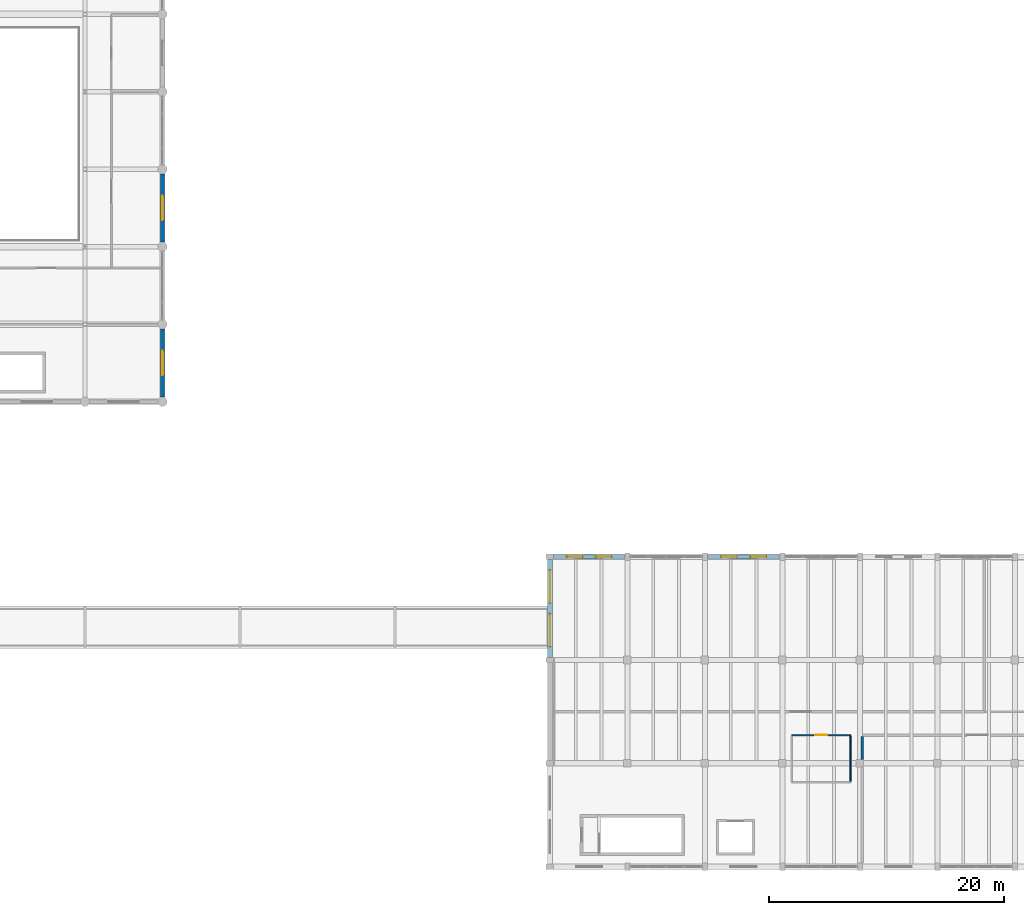
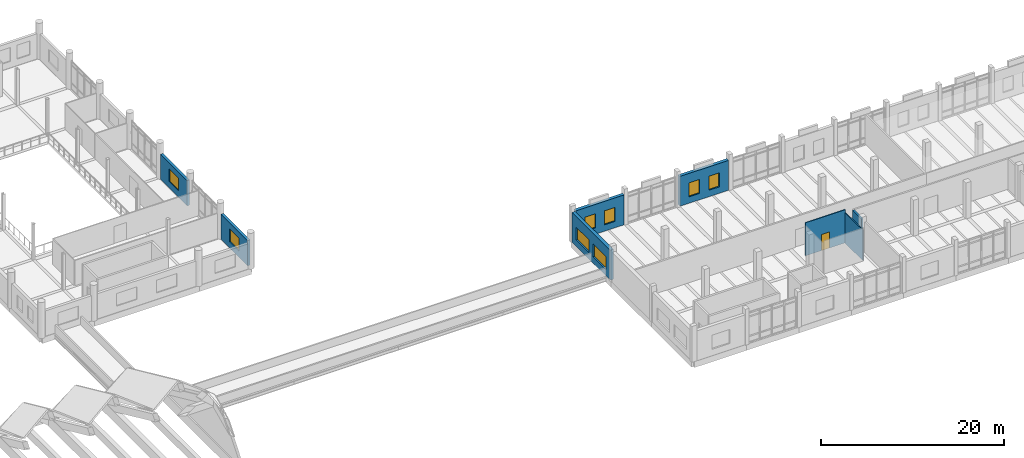
# One storey, part 49 of 76: 8 walls, 8 windows, 1 door, 9 openings.
"""IFC4 building model written with IfcOpenShell, lengths in metres."""

from ifc_helpers import new_model, si_unit, direction, frame, frame_2d, origin, place, context, subcontext, project, spatial, rectangle, extrude, material, layer, layer_set, type_object, element, fill, save


model = new_model("IFC4")

# Units and contexts
model_context = context("Model", 3, precision=1e-05, world=origin(), true_north=direction((0.0, 1.0)))
body_context = subcontext(model_context, "Body", "Model", "MODEL_VIEW")
ifc_project = project(units=[si_unit("LENGTHUNIT", "METRE"), si_unit("AREAUNIT", "SQUARE_METRE"), si_unit("VOLUMEUNIT", "CUBIC_METRE"), si_unit("PLANEANGLEUNIT", "RADIAN"), si_unit("MASSUNIT", "GRAM", prefix="KILO")], contexts=[model_context])

# Site, building, storey
site_placement = place(None, origin())
site = spatial("IfcSite", under=ifc_project, at=site_placement, CompositionType="ELEMENT")
building_placement = place(site_placement, origin())
building = spatial("IfcBuilding", under=site, at=building_placement, Name="Dornvale Research Institute", CompositionType="ELEMENT")
storey_placement = place(building_placement, frame((0.0, 0.0, 15.0)))
storey = spatial("IfcBuildingStorey", under=building, at=storey_placement, Name="L03", CompositionType="ELEMENT", Elevation=15.0)

# Wall
ifc_material_1 = material(Name="Fire-Rated Gypsum Board on Cold-Formed Steel Studs", Category="steel")
ifc_layer_1 = layer(ifc_material_1, 0.199951171875)
ifc_layer_set_1 = layer_set([ifc_layer_1], Name="Fire-Rated Gypsum Board on Cold-Formed Steel Studs")
wall_type_1 = type_object("IfcWallType", Name="Partition_FireWall_200", PredefinedType="PARTITIONING", material=ifc_layer_set_1)
wall_1_placement = place(storey_placement, frame((125.60009765625, 9.14501953125, 0.0), z_axis=(0.0, 0.0, 1.0), x_axis=(0.0, 1.0, 0.0)))
element("IfcWall", 1, at=wall_1_placement, inside=storey, type_object=wall_type_1, Name="L03 V3 interior partition #387", PredefinedType="PARTITIONING", context=body_context, shape_type="SweptSolid", body=[
    extrude(rectangle(XDim=1.93994140625, YDim=0.199951171875, at=frame_2d((0.969970703125, 0.0))), origin(), (0.0, 0.0, 1.0), 4.06494140625),
])

# Wall, opening, door
ifc_material_2 = material(Name="Acoustic Insulated Double-Stud Laboratory Partition")
ifc_layer_2 = layer(ifc_material_2, 0.10009765625)
ifc_layer_set_2 = layer_set([ifc_layer_2], Name="Acoustic Insulated Double-Stud Laboratory Partition")
wall_type_2 = type_object("IfcWallType", Name="Partition_Office_100", PredefinedType="PARTITIONING", material=ifc_layer_set_2)
wall_2_placement = place(storey_placement, frame((119.60009765625, 11.199951171875, 0.0), z_axis=(0.0, 0.0, 1.0), x_axis=(1.0, 0.0, 0.0)))
wall_2 = element("IfcWall", 2, at=wall_2_placement, inside=storey, type_object=wall_type_2, Name="L03 V3 interior partition #377", PredefinedType="PARTITIONING", context=body_context, shape_type="SweptSolid", body=[
    extrude(rectangle(XDim=5.0, YDim=0.10009765625, at=frame_2d((2.5, 0.0))), origin(), (0.0, 0.0, 1.0), 4.419921875),
])
opening_1_placement = place(wall_2_placement, frame((2.0, 0.0, 0.0)))
opening_1 = element("IfcOpeningElement", 3, at=opening_1_placement, cuts=wall_2, Name="Opening ID-24", PredefinedType="OPENING", context=body_context, shape_type="SweptSolid", body=[
    extrude(rectangle(XDim=1.0, YDim=2.14990234375, at=frame_2d((0.5, 1.074951171875))), frame((0.0, 0.06494140625, 0.0), z_axis=(0.0, -1.0, 0.0), x_axis=(1.0, 0.0, 0.0)), (0.0, 0.0, 1.0), 0.130126953125),
])
ifc_material_3 = material(Name="Phenolic-Faced Solid-Core Laboratory Door Assembly")
door_type = type_object("IfcDoorType", Name="Door_AccWC_1000x2150", OperationType="SINGLE_SWING_LEFT", PredefinedType="DOOR", material=ifc_material_3)
door_placement = place(opening_1_placement, origin())
door = element("IfcDoor", 4, at=door_placement, inside=storey, type_object=door_type, Name="L03 Cleanroom Staff and Accessible Restrooms L03 door #152", OperationType="SINGLE_SWING_LEFT", OverallHeight=2.14990234375, OverallWidth=1.0, PredefinedType="DOOR", context=body_context, shape_type="SweptSolid", body=[
    extrude(rectangle(XDim=1.0, YDim=2.14990234375, at=frame_2d((0.5, 1.074951171875))), frame((0.0, 0.02490234375, 0.0), z_axis=(0.0, -1.0, 0.0), x_axis=(1.0, 0.0, 0.0)), (0.0, 0.0, 1.0), 0.050048828125),
])
fill(opening_1, door)

# Wall
wall_3_placement = place(storey_placement, frame((124.60009765625, 7.264892578125, 0.0), z_axis=(0.0, 0.0, 1.0), x_axis=(0.0, 1.0, 0.0)))
element("IfcWall", 5, at=wall_3_placement, inside=storey, type_object=wall_type_2, Name="L03 V3 interior partition #379", PredefinedType="PARTITIONING", context=body_context, shape_type="SweptSolid", body=[
    extrude(rectangle(XDim=3.8701171875, YDim=0.10009765625, at=frame_2d((1.93505859375, 0.0))), origin(), (0.0, 0.0, 1.0), 4.06494140625),
])

# Wall, opening, window
ifc_material_4 = material(Name="Catalan Pressed Brick and Insulated Cavity Assembly", Category="masonry")
ifc_layer_3 = layer(ifc_material_4, 0.320068359375)
ifc_layer_set_3 = layer_set([ifc_layer_3], Name="Catalan Pressed Brick and Insulated Cavity Assembly")
wall_type_3 = type_object("IfcWallType", Name="StandardWall_BrickCavity_320", PredefinedType="STANDARD", material=ifc_layer_set_3)
wall_4_placement = place(storey_placement, frame((66.0, 59.0048828125, 0.0), z_axis=(0.0, 0.0, 1.0), x_axis=(0.0, -1.0, 0.0)))
wall_4 = element("IfcWall", 6, at=wall_4_placement, inside=storey, type_object=wall_type_3, Name="L03 V2 east exterior wall #105", PredefinedType="STANDARD", context=body_context, shape_type="SweptSolid", body=[
    extrude(rectangle(XDim=5.809814453125, YDim=0.320068359375, at=frame_2d((2.90478515625, 0.0))), origin(), (0.0, 0.0, 1.0), 3.360107421875),
])
opening_2_placement = place(wall_4_placement, frame((1.85498046875, 0.0, 0.85009765625)))
opening_2 = element("IfcOpeningElement", 7, at=opening_2_placement, cuts=wall_4, Name="Opening W-19", PredefinedType="OPENING", context=body_context, shape_type="SweptSolid", body=[
    extrude(rectangle(XDim=2.10009765625, YDim=1.699951171875, at=frame_2d((1.050048828125, 0.85009765625))), frame((0.0, 0.175048828125, 0.0), z_axis=(0.0, -1.0, 0.0), x_axis=(1.0, 0.0, 0.0)), (0.0, 0.0, 1.0), 0.35009765625),
])
ifc_material_5 = material(Name="Low-E Argon Double Insulating Glazing Unit", Category="glass")
window_type_1 = type_object("IfcWindowType", Name="Window_Alu_2100x1700_19", PartitioningType="DOUBLE_PANEL_VERTICAL", PredefinedType="WINDOW", material=ifc_material_5)
window_1_placement = place(opening_2_placement, origin())
window_1 = element("IfcWindow", 8, at=window_1_placement, inside=storey, type_object=window_type_1, Name="L03 V2 facade window W-19 #134", OverallHeight=1.699951171875, OverallWidth=2.10009765625, PartitioningType="DOUBLE_PANEL_VERTICAL", PredefinedType="WINDOW", context=body_context, shape_type="SweptSolid", body=[
    extrude(rectangle(XDim=2.10009765625, YDim=1.699951171875, at=frame_2d((1.050048828125, 0.85009765625))), frame((0.0, 0.030029296875, 0.0), z_axis=(0.0, -1.0, 0.0), x_axis=(1.0, 0.0, 0.0)), (0.0, 0.0, 1.0), 0.06005859375),
])
fill(opening_2, window_1)

wall_5_placement = place(storey_placement, frame((66.0, 45.804931640625, 0.0), z_axis=(0.0, 0.0, 1.0), x_axis=(0.0, -1.0, 0.0)))
wall_5 = element("IfcWall", 9, at=wall_5_placement, inside=storey, type_object=wall_type_3, Name="L03 V2 east exterior wall #106", PredefinedType="STANDARD", context=body_context, shape_type="SweptSolid", body=[
    extrude(rectangle(XDim=5.809814453125, YDim=0.320068359375, at=frame_2d((2.90478515625, 0.0))), origin(), (0.0, 0.0, 1.0), 3.360107421875),
])
opening_3_placement = place(wall_5_placement, frame((1.85498046875, 0.0, 0.85009765625)))
opening_3 = element("IfcOpeningElement", 10, at=opening_3_placement, cuts=wall_5, Name="Opening W-19", PredefinedType="OPENING", context=body_context, shape_type="SweptSolid", body=[
    extrude(rectangle(XDim=2.10009765625, YDim=1.699951171875, at=frame_2d((1.050048828125, 0.85009765625))), frame((0.0, 0.175048828125, 0.0), z_axis=(0.0, -1.0, 0.0), x_axis=(1.0, 0.0, 0.0)), (0.0, 0.0, 1.0), 0.35009765625),
])
window_2_placement = place(opening_3_placement, origin())
window_2 = element("IfcWindow", 11, at=window_2_placement, inside=storey, type_object=window_type_1, Name="L03 V2 facade window W-19 #135", OverallHeight=1.699951171875, OverallWidth=2.10009765625, PartitioningType="DOUBLE_PANEL_VERTICAL", PredefinedType="WINDOW", context=body_context, shape_type="SweptSolid", body=[
    extrude(rectangle(XDim=2.10009765625, YDim=1.699951171875, at=frame_2d((1.050048828125, 0.85009765625))), frame((0.0, 0.030029296875, 0.0), z_axis=(0.0, -1.0, 0.0), x_axis=(1.0, 0.0, 0.0)), (0.0, 0.0, 1.0), 0.06005859375),
])
fill(opening_3, window_2)

# Wall, openings, windows
ifc_material_6 = material(Name="Precast Concrete f'c 40 MPa (C32/40) and Glazed Terracotta Backup Wall", Category="masonry")
ifc_layer_4 = layer(ifc_material_6, 0.39990234375)
ifc_layer_set_4 = layer_set([ifc_layer_4], Name="Precast Concrete f'c 40 MPa (C32/40) and Glazed Terracotta Backup Wall")
wall_type_4 = type_object("IfcWallType", Name="StandardWall_CleanroomExt_400", PredefinedType="STANDARD", material=ifc_layer_set_4)
wall_6_placement = place(storey_placement, frame((99.0, 17.824951171875, 0.0), z_axis=(0.0, 0.0, 1.0), x_axis=(0.0, 1.0, 0.0)))
wall_6 = element("IfcWall", 12, at=wall_6_placement, inside=storey, type_object=wall_type_4, Name="L03 V3 west exterior wall #168", PredefinedType="STANDARD", context=body_context, shape_type="SweptSolid", body=[
    extrude(rectangle(XDim=8.35009765625, YDim=0.39990234375, at=frame_2d((4.175048828125, 0.0))), origin(), (0.0, 0.0, 1.0), 3.97998046875),
])
opening_4_placement = place(wall_6_placement, frame((0.916748046875, 0.0, 0.85009765625)))
opening_4 = element("IfcOpeningElement", 13, at=opening_4_placement, cuts=wall_6, Name="Opening W-23", PredefinedType="OPENING", context=body_context, shape_type="SweptSolid", body=[
    extrude(rectangle(XDim=2.800048828125, YDim=1.699951171875, at=frame_2d((1.39990234375, 0.85009765625))), frame((0.0, 0.21484375, 0.0), z_axis=(0.0, -1.0, 0.0), x_axis=(1.0, 0.0, 0.0)), (0.0, 0.0, 1.0), 0.429931640625),
])
opening_5_placement = place(wall_6_placement, frame((4.63330078125, 0.0, 0.85009765625)))
opening_5 = element("IfcOpeningElement", 14, at=opening_5_placement, cuts=wall_6, Name="Opening W-23", PredefinedType="OPENING", context=body_context, shape_type="SweptSolid", body=[
    extrude(rectangle(XDim=2.800048828125, YDim=1.699951171875, at=frame_2d((1.39990234375, 0.85009765625))), frame((0.0, 0.21484375, 0.0), z_axis=(0.0, -1.0, 0.0), x_axis=(1.0, 0.0, 0.0)), (0.0, 0.0, 1.0), 0.429931640625),
])
ifc_material_7 = material(Name="Low-E Argon Double Insulating Glazing Unit", Category="glass")
window_type_2 = type_object("IfcWindowType", Name="Window_Alu_2800x1700_23", PartitioningType="DOUBLE_PANEL_VERTICAL", PredefinedType="WINDOW", material=ifc_material_7)
window_3_placement = place(opening_4_placement, origin())
window_3 = element("IfcWindow", 15, at=window_3_placement, inside=storey, type_object=window_type_2, Name="L03 V3 facade window W-23 #224", OverallHeight=1.699951171875, OverallWidth=2.800048828125, PartitioningType="DOUBLE_PANEL_VERTICAL", PredefinedType="WINDOW", context=body_context, shape_type="SweptSolid", body=[
    extrude(rectangle(XDim=2.800048828125, YDim=1.699951171875, at=frame_2d((1.39990234375, 0.85009765625))), frame((0.0, 0.030029296875, 0.0), z_axis=(0.0, -1.0, 0.0), x_axis=(1.0, 0.0, 0.0)), (0.0, 0.0, 1.0), 0.06005859375),
])
fill(opening_4, window_3)
window_4_placement = place(opening_5_placement, origin())
window_4 = element("IfcWindow", 16, at=window_4_placement, inside=storey, type_object=window_type_2, Name="L03 V3 facade window W-23 #225", OverallHeight=1.699951171875, OverallWidth=2.800048828125, PartitioningType="DOUBLE_PANEL_VERTICAL", PredefinedType="WINDOW", context=body_context, shape_type="SweptSolid", body=[
    extrude(rectangle(XDim=2.800048828125, YDim=1.699951171875, at=frame_2d((1.39990234375, 0.85009765625))), frame((0.0, 0.030029296875, 0.0), z_axis=(0.0, -1.0, 0.0), x_axis=(1.0, 0.0, 0.0)), (0.0, 0.0, 1.0), 0.06005859375),
])
fill(opening_5, window_4)

wall_7_placement = place(storey_placement, frame((99.324951171875, 26.39990234375, 0.0), z_axis=(0.0, 0.0, 1.0), x_axis=(1.0, 0.0, 0.0)))
wall_7 = element("IfcWall", 17, at=wall_7_placement, inside=storey, type_object=wall_type_4, Name="L03 V3 north exterior wall #169", PredefinedType="STANDARD", context=body_context, shape_type="SweptSolid", body=[
    extrude(rectangle(XDim=6.050048828125, YDim=0.39990234375, at=frame_2d((3.02490234375, 0.0))), origin(), (0.0, 0.0, 1.0), 3.97998046875),
])
opening_6_placement = place(wall_7_placement, frame((1.11669921875, 0.0, 0.85009765625)))
opening_6 = element("IfcOpeningElement", 18, at=opening_6_placement, cuts=wall_7, Name="Opening W-26", PredefinedType="OPENING", context=body_context, shape_type="SweptSolid", body=[
    extrude(rectangle(XDim=1.35009765625, YDim=1.8798828125, at=frame_2d((0.675048828125, 0.93994140625))), frame((0.0, 0.21484375, 0.0), z_axis=(0.0, -1.0, 0.0), x_axis=(1.0, 0.0, 0.0)), (0.0, 0.0, 1.0), 0.429931640625),
])
opening_7_placement = place(wall_7_placement, frame((3.58349609375, 0.0, 0.85009765625)))
opening_7 = element("IfcOpeningElement", 19, at=opening_7_placement, cuts=wall_7, Name="Opening W-26", PredefinedType="OPENING", context=body_context, shape_type="SweptSolid", body=[
    extrude(rectangle(XDim=1.35009765625, YDim=1.8798828125, at=frame_2d((0.675048828125, 0.93994140625))), frame((0.0, 0.21484375, 0.0), z_axis=(0.0, -1.0, 0.0), x_axis=(1.0, 0.0, 0.0)), (0.0, 0.0, 1.0), 0.429931640625),
])
ifc_material_8 = material(Name="Low-E Argon Double Insulating Glazing Unit", Category="glass")
window_type_3 = type_object("IfcWindowType", Name="Window_Alu_1350x1880_26", PartitioningType="SINGLE_PANEL", PredefinedType="WINDOW", material=ifc_material_8)
window_5_placement = place(opening_6_placement, origin())
window_5 = element("IfcWindow", 20, at=window_5_placement, inside=storey, type_object=window_type_3, Name="L03 V3 facade window W-26 #226", OverallHeight=1.8798828125, OverallWidth=1.35009765625, PartitioningType="SINGLE_PANEL", PredefinedType="WINDOW", context=body_context, shape_type="SweptSolid", body=[
    extrude(rectangle(XDim=1.35009765625, YDim=1.8798828125, at=frame_2d((0.675048828125, 0.93994140625))), frame((0.0, 0.030029296875, 0.0), z_axis=(0.0, -1.0, 0.0), x_axis=(1.0, 0.0, 0.0)), (0.0, 0.0, 1.0), 0.06005859375),
])
fill(opening_6, window_5)
window_6_placement = place(opening_7_placement, origin())
window_6 = element("IfcWindow", 21, at=window_6_placement, inside=storey, type_object=window_type_3, Name="L03 V3 facade window W-26 #227", OverallHeight=1.8798828125, OverallWidth=1.35009765625, PartitioningType="SINGLE_PANEL", PredefinedType="WINDOW", context=body_context, shape_type="SweptSolid", body=[
    extrude(rectangle(XDim=1.35009765625, YDim=1.8798828125, at=frame_2d((0.675048828125, 0.93994140625))), frame((0.0, 0.030029296875, 0.0), z_axis=(0.0, -1.0, 0.0), x_axis=(1.0, 0.0, 0.0)), (0.0, 0.0, 1.0), 0.06005859375),
])
fill(opening_7, window_6)

wall_8_placement = place(storey_placement, frame((112.425048828125, 26.39990234375, 0.0), z_axis=(0.0, 0.0, 1.0), x_axis=(1.0, 0.0, 0.0)))
wall_8 = element("IfcWall", 22, at=wall_8_placement, inside=storey, type_object=wall_type_4, Name="L03 V3 north exterior wall #170", PredefinedType="STANDARD", context=body_context, shape_type="SweptSolid", body=[
    extrude(rectangle(XDim=6.14990234375, YDim=0.39990234375, at=frame_2d((3.074951171875, 0.0))), origin(), (0.0, 0.0, 1.0), 3.97998046875),
])
opening_8_placement = place(wall_8_placement, frame((1.14990234375, 0.0, 0.85009765625)))
opening_8 = element("IfcOpeningElement", 23, at=opening_8_placement, cuts=wall_8, Name="Opening W-26", PredefinedType="OPENING", context=body_context, shape_type="SweptSolid", body=[
    extrude(rectangle(XDim=1.35009765625, YDim=1.8798828125, at=frame_2d((0.675048828125, 0.93994140625))), frame((0.0, 0.21484375, 0.0), z_axis=(0.0, -1.0, 0.0), x_axis=(1.0, 0.0, 0.0)), (0.0, 0.0, 1.0), 0.429931640625),
])
opening_9_placement = place(wall_8_placement, frame((3.64990234375, 0.0, 0.85009765625)))
opening_9 = element("IfcOpeningElement", 24, at=opening_9_placement, cuts=wall_8, Name="Opening W-26", PredefinedType="OPENING", context=body_context, shape_type="SweptSolid", body=[
    extrude(rectangle(XDim=1.35009765625, YDim=1.8798828125, at=frame_2d((0.675048828125, 0.93994140625))), frame((0.0, 0.21484375, 0.0), z_axis=(0.0, -1.0, 0.0), x_axis=(1.0, 0.0, 0.0)), (0.0, 0.0, 1.0), 0.429931640625),
])
window_7_placement = place(opening_8_placement, origin())
window_7 = element("IfcWindow", 25, at=window_7_placement, inside=storey, type_object=window_type_3, Name="L03 V3 facade window W-26 #228", OverallHeight=1.8798828125, OverallWidth=1.35009765625, PartitioningType="SINGLE_PANEL", PredefinedType="WINDOW", context=body_context, shape_type="SweptSolid", body=[
    extrude(rectangle(XDim=1.35009765625, YDim=1.8798828125, at=frame_2d((0.675048828125, 0.93994140625))), frame((0.0, 0.030029296875, 0.0), z_axis=(0.0, -1.0, 0.0), x_axis=(1.0, 0.0, 0.0)), (0.0, 0.0, 1.0), 0.06005859375),
])
fill(opening_8, window_7)
window_8_placement = place(opening_9_placement, origin())
window_8 = element("IfcWindow", 26, at=window_8_placement, inside=storey, type_object=window_type_3, Name="L03 V3 facade window W-26 #229", OverallHeight=1.8798828125, OverallWidth=1.35009765625, PartitioningType="SINGLE_PANEL", PredefinedType="WINDOW", context=body_context, shape_type="SweptSolid", body=[
    extrude(rectangle(XDim=1.35009765625, YDim=1.8798828125, at=frame_2d((0.675048828125, 0.93994140625))), frame((0.0, 0.030029296875, 0.0), z_axis=(0.0, -1.0, 0.0), x_axis=(1.0, 0.0, 0.0)), (0.0, 0.0, 1.0), 0.06005859375),
])
fill(opening_9, window_8)

save(model, "model.ifc")
